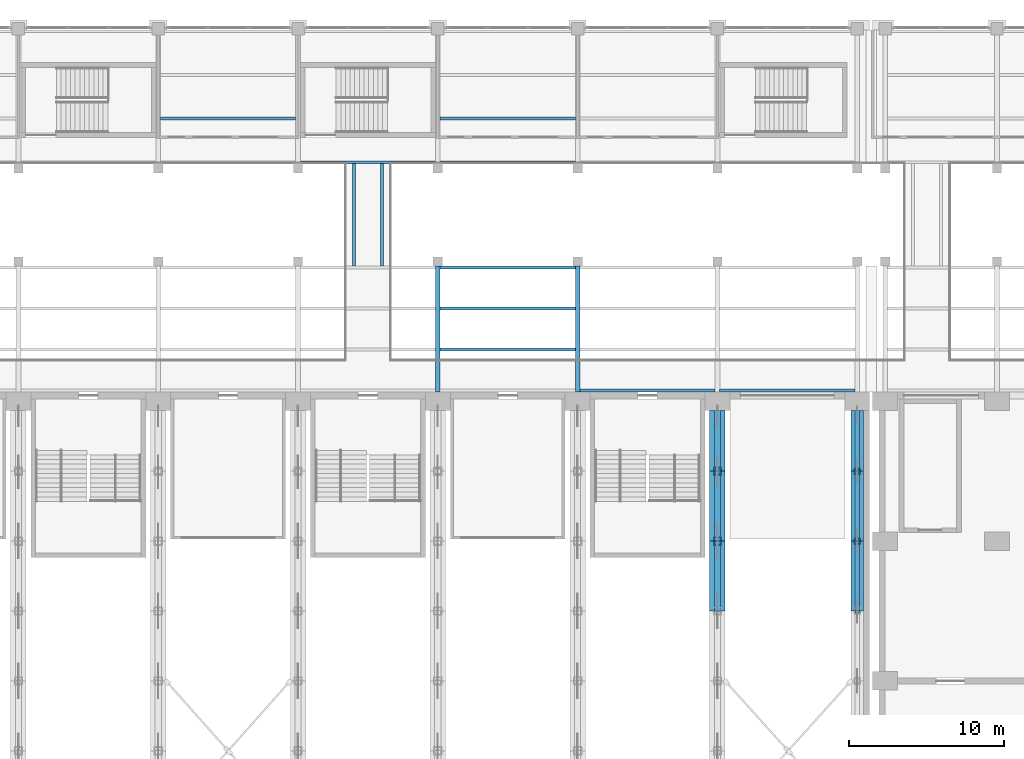
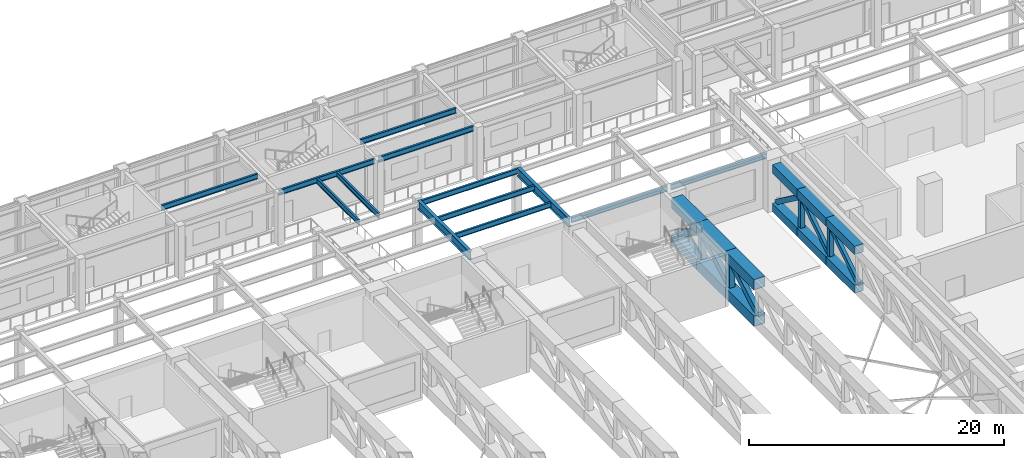
# One storey, part 18 of 76: 22 members, 13 beams.
"""IFC4 building model written with IfcOpenShell, lengths in metres."""

from ifc_helpers import new_model, si_unit, direction, frame, origin, origin_2d, place, context, subcontext, project, spatial, hollow_rectangle, i_section, extrude, material, material_profile, profile_set, type_object, element, save


model = new_model("IFC4")

# Units and contexts
model_context = context("Model", 3, precision=1e-05, world=origin(), true_north=direction((0.0, 1.0)))
body_context = subcontext(model_context, "Body", "Model", "MODEL_VIEW")
ifc_project = project(units=[si_unit("LENGTHUNIT", "METRE"), si_unit("AREAUNIT", "SQUARE_METRE"), si_unit("VOLUMEUNIT", "CUBIC_METRE"), si_unit("PLANEANGLEUNIT", "RADIAN"), si_unit("MASSUNIT", "GRAM", prefix="KILO")], contexts=[model_context])

# Site, building, storey
site_placement = place(None, origin())
site = spatial("IfcSite", under=ifc_project, at=site_placement, CompositionType="ELEMENT")
building_placement = place(site_placement, origin())
building = spatial("IfcBuilding", under=site, at=building_placement, Name="Aravalli Gate Trade Fair Centre", CompositionType="ELEMENT")
storey_placement = place(building_placement, frame((0.0, 0.0, 10.0)))
storey = spatial("IfcBuildingStorey", under=building, at=storey_placement, Name="L02", CompositionType="ELEMENT", Elevation=10.0)

# Members
ifc_material = material(Name="Steel E350", Category="steel")
ifc_material_profile_1 = material_profile(ifc_material, hollow_rectangle(XDim=1.0, YDim=1.0, WallThickness=0.050048828125, at=origin_2d()), Name="BOX 1000x1000x50")
ifc_profile_set_1 = profile_set([ifc_material_profile_1], Name="Steel E350")
member_type_1 = type_object("IfcMemberType", Name="FT1 chord BOX 1000x1000x50", PredefinedType="CHORD", material=ifc_profile_set_1)
for number, where, z_axis, x_axis, name in (
    (1, (96.0, 95.5, 0.5), (0.0, 1.0, 0.0), (-1.0, 0.0, 0.0), "FT1 line 11 bottom chord 12"),
    (2, (96.0, 95.5, 4.0), (0.0, 1.0, 0.0), (-1.0, 0.0, 0.0), "FT1 line 11 top chord 12"),
    (3, (96.0, 100.0, 0.5), (0.0, 1.0, 0.0), (-1.0, 0.0, 0.0), "FT1 line 11 bottom chord 13"),
    (4, (96.0, 100.0, 4.0), (0.0, 1.0, 0.0), (-1.0, 0.0, 0.0), "FT1 line 11 top chord 13"),
):
    element("IfcMember", number, at=place(storey_placement, frame(where, z_axis=z_axis, x_axis=x_axis)), inside=storey, type_object=member_type_1, Name=name, PredefinedType="CHORD", context=body_context, shape_type="SweptSolid", body=[
        extrude(hollow_rectangle(XDim=1.0, YDim=1.0, WallThickness=0.050048828125, at=origin_2d()), origin(), (0.0, 0.0, 1.0), 4.5),
    ])
for number, where, z_axis, x_axis, name in (
    (5, (96.0, 104.5, 0.5), (0.0, 1.0, 0.0), (-1.0, 0.0, 0.0), "FT1 line 11 bottom chord 14"),
    (6, (96.0, 104.5, 4.0), (0.0, 1.0, 0.0), (-1.0, 0.0, 0.0), "FT1 line 11 top chord 14"),
):
    element("IfcMember", number, at=place(storey_placement, frame(where, z_axis=z_axis, x_axis=x_axis)), inside=storey, type_object=member_type_1, Name=name, PredefinedType="CHORD", context=body_context, shape_type="SweptSolid", body=[
        extrude(hollow_rectangle(XDim=1.0, YDim=1.0, WallThickness=0.050048828125, at=origin_2d()), origin(), (0.0, 0.0, 1.0), 3.89990234375),
    ])
ifc_material_profile_2 = material_profile(ifc_material, hollow_rectangle(XDim=0.39990234375, YDim=0.60009765625, WallThickness=0.030029296875, at=origin_2d()), Name="RHS 600x400x30")
ifc_profile_set_2 = profile_set([ifc_material_profile_2], Name="Steel E350")
member_type_2 = type_object("IfcMemberType", Name="FT1 diagonal RHS 600x400x30", PredefinedType="BRACE", material=ifc_profile_set_2)
for number, where, z_axis, x_axis, name in (
    (7, (96.0, 99.89501953125, 3.5), (0.0, -0.863999951417, -0.503491890651), (1.0, 0.0, 0.0), "FT1 line 11 diagonal 12"),
    (8, (96.0, 104.39501953125, 3.5), (0.0, -0.863999951417, -0.503491890651), (1.0, 0.0, 0.0), "FT1 line 11 diagonal 13"),
):
    element("IfcMember", number, at=place(storey_placement, frame(where, z_axis=z_axis, x_axis=x_axis)), inside=storey, type_object=member_type_2, Name=name, PredefinedType="BRACE", context=body_context, shape_type="SweptSolid", body=[
        extrude(hollow_rectangle(XDim=0.39990234375, YDim=0.60009765625, WallThickness=0.030029296875, at=origin_2d()), origin(), (0.0, 0.0, 1.0), 4.96533203125),
    ])
member_1_placement = place(storey_placement, frame((96.0, 108.39990234375, 1.0), z_axis=(0.0, -0.841872999265, 0.53967569253), x_axis=(1.0, 0.0, 0.0)))
element("IfcMember", 9, at=member_1_placement, inside=storey, type_object=member_type_2, Name="FT1 line 11 diagonal 14", PredefinedType="BRACE", context=body_context, shape_type="SweptSolid", body=[
    extrude(hollow_rectangle(XDim=0.39990234375, YDim=0.60009765625, WallThickness=0.030029296875, at=origin_2d()), origin(), (0.0, 0.0, 1.0), 4.63232421875),
])
ifc_material_profile_3 = material_profile(ifc_material, hollow_rectangle(XDim=0.5, YDim=0.5, WallThickness=0.02490234375, at=origin_2d()), Name="BOX 500x500x25")
ifc_profile_set_3 = profile_set([ifc_material_profile_3], Name="Steel E350")
member_type_3 = type_object("IfcMemberType", Name="FT1 post BOX 500x500x25", PredefinedType="POST", material=ifc_profile_set_3)
for number, where, z_axis, x_axis, name in (
    (10, (96.0, 100.0, 1.0), (0.0, 0.0, 1.0), (1.0, 0.0, 0.0), "FT1 line 11 post 12"),
    (11, (96.0, 104.5, 1.0), (0.0, 0.0, 1.0), (1.0, 0.0, 0.0), "FT1 line 11 post 13"),
):
    element("IfcMember", number, at=place(storey_placement, frame(where, z_axis=z_axis, x_axis=x_axis)), inside=storey, type_object=member_type_3, Name=name, PredefinedType="POST", context=body_context, shape_type="SweptSolid", body=[
        extrude(hollow_rectangle(XDim=0.5, YDim=0.5, WallThickness=0.02490234375, at=origin_2d()), origin(), (0.0, 0.0, 1.0), 2.5),
    ])
ifc_material_profile_4 = material_profile(ifc_material, hollow_rectangle(XDim=0.800048828125, YDim=0.800048828125, WallThickness=0.0400390625, at=origin_2d()), Name="BOX 800x800x40")
ifc_profile_set_4 = profile_set([ifc_material_profile_4], Name="Steel E350")
member_type_4 = type_object("IfcMemberType", Name="FT2 chord BOX 800x800x40", PredefinedType="CHORD", material=ifc_profile_set_4)
for number, where, z_axis, x_axis, name in (
    (12, (105.0, 95.5, 0.39990234375), (0.0, 1.0, 0.0), (-1.0, 0.0, 0.0), "FT2 line 12 bottom chord 12"),
    (13, (105.0, 95.5, 4.10009765625), (0.0, 1.0, 0.0), (-1.0, 0.0, 0.0), "FT2 line 12 top chord 12"),
    (14, (105.0, 100.0, 0.39990234375), (0.0, 1.0, 0.0), (-1.0, 0.0, 0.0), "FT2 line 12 bottom chord 13"),
    (15, (105.0, 100.0, 4.10009765625), (0.0, 1.0, 0.0), (-1.0, 0.0, 0.0), "FT2 line 12 top chord 13"),
):
    element("IfcMember", number, at=place(storey_placement, frame(where, z_axis=z_axis, x_axis=x_axis)), inside=storey, type_object=member_type_4, Name=name, PredefinedType="CHORD", context=body_context, shape_type="SweptSolid", body=[
        extrude(hollow_rectangle(XDim=0.800048828125, YDim=0.800048828125, WallThickness=0.0400390625, at=origin_2d()), origin(), (0.0, 0.0, 1.0), 4.5),
    ])
for number, where, z_axis, x_axis, name in (
    (16, (105.0, 104.5, 0.39990234375), (0.0, 1.0, 0.0), (-1.0, 0.0, 0.0), "FT2 line 12 bottom chord 14"),
    (17, (105.0, 104.5, 4.10009765625), (0.0, 1.0, 0.0), (-1.0, 0.0, 0.0), "FT2 line 12 top chord 14"),
):
    element("IfcMember", number, at=place(storey_placement, frame(where, z_axis=z_axis, x_axis=x_axis)), inside=storey, type_object=member_type_4, Name=name, PredefinedType="CHORD", context=body_context, shape_type="SweptSolid", body=[
        extrude(hollow_rectangle(XDim=0.800048828125, YDim=0.800048828125, WallThickness=0.0400390625, at=origin_2d()), origin(), (0.0, 0.0, 1.0), 3.89990234375),
    ])
ifc_material_profile_5 = material_profile(ifc_material, hollow_rectangle(XDim=0.300048828125, YDim=0.449951171875, WallThickness=0.02001953125, at=origin_2d()), Name="RHS 450x300x20")
ifc_profile_set_5 = profile_set([ifc_material_profile_5], Name="Steel E350")
member_type_5 = type_object("IfcMemberType", Name="FT2 diagonal RHS 450x300x20", PredefinedType="BRACE", material=ifc_profile_set_5)
for number, where, z_axis, x_axis, name in (
    (18, (105.0, 100.0, 3.699951171875), (0.0, -0.84057934116, -0.541688444786), (1.0, 0.0, 0.0), "FT2 line 12 diagonal 12"),
    (19, (105.0, 104.5, 3.699951171875), (0.0, -0.84057934116, -0.541688444786), (1.0, 0.0, 0.0), "FT2 line 12 diagonal 13"),
):
    element("IfcMember", number, at=place(storey_placement, frame(where, z_axis=z_axis, x_axis=x_axis)), inside=storey, type_object=member_type_5, Name=name, PredefinedType="BRACE", context=body_context, shape_type="SweptSolid", body=[
        extrude(hollow_rectangle(XDim=0.300048828125, YDim=0.449951171875, WallThickness=0.02001953125, at=origin_2d()), origin(), (0.0, 0.0, 1.0), 5.353515625),
    ])
member_2_placement = place(storey_placement, frame((105.0, 108.39990234375, 0.800048828125), z_axis=(0.0, -0.80246480806, 0.596699448487), x_axis=(1.0, 0.0, 0.0)))
element("IfcMember", 20, at=member_2_placement, inside=storey, type_object=member_type_5, Name="FT2 line 12 diagonal 14", PredefinedType="BRACE", context=body_context, shape_type="SweptSolid", body=[
    extrude(hollow_rectangle(XDim=0.300048828125, YDim=0.449951171875, WallThickness=0.02001953125, at=origin_2d()), origin(), (0.0, 0.0, 1.0), 4.85986328125),
])
ifc_material_profile_6 = material_profile(ifc_material, hollow_rectangle(XDim=0.39990234375, YDim=0.39990234375, WallThickness=0.02001953125, at=origin_2d()), Name="BOX 400x400x20")
ifc_profile_set_6 = profile_set([ifc_material_profile_6], Name="Steel E350")
member_type_6 = type_object("IfcMemberType", Name="FT2 post BOX 400x400x20", PredefinedType="POST", material=ifc_profile_set_6)
for number, where, z_axis, x_axis, name in (
    (21, (105.0, 100.0, 0.800048828125), (0.0, 0.0, 1.0), (1.0, 0.0, 0.0), "FT2 line 12 post 12"),
    (22, (105.0, 104.5, 0.800048828125), (0.0, 0.0, 1.0), (1.0, 0.0, 0.0), "FT2 line 12 post 13"),
):
    element("IfcMember", number, at=place(storey_placement, frame(where, z_axis=z_axis, x_axis=x_axis)), inside=storey, type_object=member_type_6, Name=name, PredefinedType="POST", context=body_context, shape_type="SweptSolid", body=[
        extrude(hollow_rectangle(XDim=0.39990234375, YDim=0.39990234375, WallThickness=0.02001953125, at=origin_2d()), origin(), (0.0, 0.0, 1.0), 2.89990234375),
    ])

# Beams
ifc_material_profile_7 = material_profile(ifc_material, i_section(OverallWidth=0.179931640625, OverallDepth=0.5, WebThickness=0.01025390625, FlangeThickness=0.01708984375, at=origin_2d()), Name="ISMB 500")
ifc_profile_set_7 = profile_set([ifc_material_profile_7], Name="Steel E350")
beam_type_1 = type_object("IfcBeamType", Name="ISMB 500 gallery secondary beam", PredefinedType="JOIST", material=ifc_profile_set_7)
for number, where, z_axis, x_axis, name in (
    (23, (60.14990234375, 127.203369140625, 4.550048828125), (1.0, 0.0, 0.0), (0.0, 1.0, 0.0), "Gallery beam N5 07-08 L03"),
    (24, (69.14990234375, 124.389892578125, 4.550048828125), (1.0, 0.0, 0.0), (0.0, 1.0, 0.0), "Gallery beam N4 08-09 L03"),
    (25, (78.14990234375, 112.330078125, 4.550048828125), (1.0, 0.0, 0.0), (0.0, 1.0, 0.0), "Gallery beam S1 09-10 L03"),
    (26, (78.14990234375, 114.969970703125, 4.550048828125), (1.0, 0.0, 0.0), (0.0, 1.0, 0.0), "Gallery beam S2 09-10 L03"),
    (27, (78.14990234375, 117.610107421875, 4.550048828125), (1.0, 0.0, 0.0), (0.0, 1.0, 0.0), "Gallery beam S3 09-10 L03"),
    (28, (78.14990234375, 124.389892578125, 4.550048828125), (1.0, 0.0, 0.0), (0.0, 1.0, 0.0), "Gallery beam N4 09-10 L03"),
    (29, (78.14990234375, 127.203369140625, 4.550048828125), (1.0, 0.0, 0.0), (0.0, 1.0, 0.0), "Gallery beam N5 09-10 L03"),
    (30, (87.14990234375, 109.68994140625, 4.550048828125), (1.0, 0.0, 0.0), (0.0, 1.0, 0.0), "Gallery beam S0 10-11 L03"),
    (31, (96.14990234375, 109.68994140625, 4.550048828125), (1.0, 0.0, 0.0), (0.0, 1.0, 0.0), "Gallery beam S0 11-12 L03"),
):
    element("IfcBeam", number, at=place(storey_placement, frame(where, z_axis=z_axis, x_axis=x_axis)), inside=storey, type_object=beam_type_1, Name=name, PredefinedType="JOIST", context=body_context, shape_type="SweptSolid", body=[
        extrude(i_section(OverallWidth=0.179931640625, OverallDepth=0.5, WebThickness=0.01025390625, FlangeThickness=0.01708984375, at=origin_2d()), origin(), (0.0, 0.0, 1.0), 8.7001953125),
    ])
for number, where, z_axis, x_axis, name in (
    (32, (72.60009765625, 117.699951171875, 4.550048828125), (0.0, 1.0, 0.0), (-1.0, 0.0, 0.0), "Bridge beam 2.1 L03"),
    (33, (74.39990234375, 117.699951171875, 4.550048828125), (0.0, 1.0, 0.0), (-1.0, 0.0, 0.0), "Bridge beam 2.2 L03"),
):
    element("IfcBeam", number, at=place(storey_placement, frame(where, z_axis=z_axis, x_axis=x_axis)), inside=storey, type_object=beam_type_1, Name=name, PredefinedType="JOIST", context=body_context, shape_type="SweptSolid", body=[
        extrude(i_section(OverallWidth=0.179931640625, OverallDepth=0.5, WebThickness=0.01025390625, FlangeThickness=0.01708984375, at=origin_2d()), origin(), (0.0, 0.0, 1.0), 6.60009765625),
    ])
ifc_material_profile_8 = material_profile(ifc_material, i_section(OverallWidth=0.300048828125, OverallDepth=0.800048828125, WebThickness=0.011962890625, FlangeThickness=0.02490234375, at=origin_2d()), Name="PG 800x300x12x25")
ifc_profile_set_8 = profile_set([ifc_material_profile_8], Name="Steel E350")
beam_type_2 = type_object("IfcBeamType", Name="PG 800x300x12x25 gallery plate girder", PredefinedType="BEAM", material=ifc_profile_set_8)
for number, where, z_axis, x_axis, name in (
    (34, (78.0, 109.60009765625, 4.39990234375), (0.0, 1.0, 0.0), (-1.0, 0.0, 0.0), "Gallery girder S09 L03"),
    (35, (87.0, 109.60009765625, 4.39990234375), (0.0, 1.0, 0.0), (-1.0, 0.0, 0.0), "Gallery girder S10 L03"),
):
    element("IfcBeam", number, at=place(storey_placement, frame(where, z_axis=z_axis, x_axis=x_axis)), inside=storey, type_object=beam_type_2, Name=name, PredefinedType="BEAM", context=body_context, shape_type="SweptSolid", body=[
        extrude(i_section(OverallWidth=0.300048828125, OverallDepth=0.800048828125, WebThickness=0.011962890625, FlangeThickness=0.02490234375, at=origin_2d()), origin(), (0.0, 0.0, 1.0), 8.099853515625),
    ])

save(model, "model.ifc")
